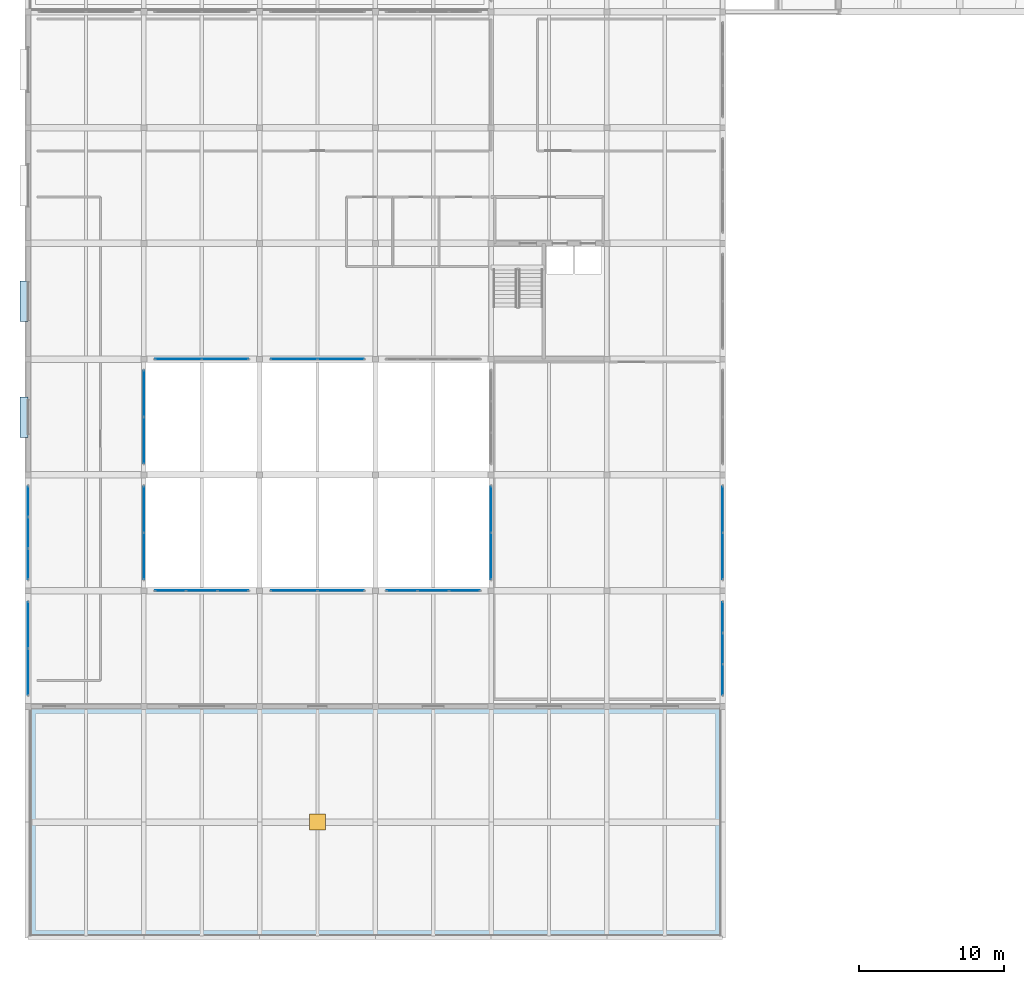
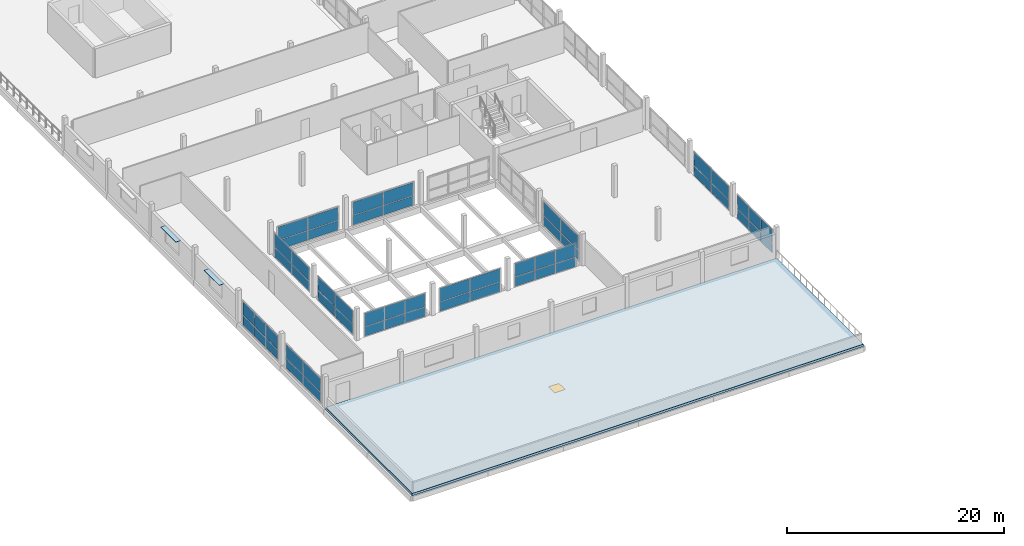
# One storey, part 33 of 51: 58 plates, 1 door, 1 slab, 1 opening, 12 elements without a shape of their own.
"""IFC4 building model written with IfcOpenShell, lengths in metres."""

from ifc_helpers import new_model, si_unit, direction, frame, origin, origin_2d, place, context, subcontext, project, spatial, polyline, rectangle, outline, extrude, material, layer, layer_set, type_object, element, fill, aggregate, save


model = new_model("IFC4")

# Units and contexts
model_context = context("Model", 3, precision=1e-05, world=origin(), true_north=direction((0.0, 1.0)))
body_context = subcontext(model_context, "Body", "Model", "MODEL_VIEW")
ifc_project = project(units=[si_unit("LENGTHUNIT", "METRE"), si_unit("AREAUNIT", "SQUARE_METRE"), si_unit("VOLUMEUNIT", "CUBIC_METRE"), si_unit("PLANEANGLEUNIT", "RADIAN"), si_unit("MASSUNIT", "GRAM", prefix="KILO")], contexts=[model_context])

# Site, building, storey
site_placement = place(None, origin())
site = spatial("IfcSite", under=ifc_project, at=site_placement, CompositionType="ELEMENT")
building_placement = place(site_placement, origin())
building = spatial("IfcBuilding", under=site, at=building_placement, Name="Vharandega Faculty of Natural Sciences", CompositionType="ELEMENT")
storey_placement = place(building_placement, frame((0.0, 0.0, 18.0)))
storey = spatial("IfcBuildingStorey", under=building, at=storey_placement, Name="L04", CompositionType="ELEMENT", Elevation=18.0)

# Curtain wall, plates
ifc_material_1 = material(Name="Aluminium and solar-control glass curtain wall", Category="aluminium")
curtain_wall_type_1 = type_object("IfcCurtainWallType", Name="Unitised Curtain Wall System CW-04", PredefinedType="NOTDEFINED", material=ifc_material_1)
curtain_wall_1_placement = place(storey_placement, origin())
curtain_wall_1 = element("IfcCurtainWall", 1, at=curtain_wall_1_placement, inside=storey, type_object=curtain_wall_type_1, Name="Curtain Wall CW-L04-171", PredefinedType="NOTDEFINED")
ifc_material_2 = material(Name="Double-glazed low-E solar glass", Category="glass")
ifc_layer_1 = layer(ifc_material_2, 0.028076171875, Name="Double-glazed low-E solar glass")
ifc_layer_set_1 = layer_set([ifc_layer_1], Name="Double-glazed low-E solar glass")
plate_type_1 = type_object("IfcPlateType", Name="CW Solar Vision Panel 28mm", PredefinedType="CURTAIN_PANEL", material=ifc_layer_set_1)
plate_1_placement = place(storey_placement, frame((0.0, 18.385009765625, 0.06005859375), z_axis=(0.0, 0.0, 1.0), x_axis=(0.0, 1.0, 0.0)))
plate_1 = element("IfcPlate", 2, at=plate_1_placement, type_object=plate_type_1, Name="CW-04 panel 1.1", PredefinedType="CURTAIN_PANEL", context=body_context, shape_type="SweptSolid", body=[
    extrude(rectangle(XDim=3.169921875, YDim=0.028076171875, at=origin_2d()), origin(), (0.0, 0.0, 1.0), 1.07763671875),
])
plate_2_placement = place(storey_placement, frame((0.0, 18.385009765625, 1.197509765625), z_axis=(0.0, 0.0, 1.0), x_axis=(0.0, 1.0, 0.0)))
plate_2 = element("IfcPlate", 3, at=plate_2_placement, type_object=plate_type_1, Name="CW-04 panel 1.2", PredefinedType="CURTAIN_PANEL", context=body_context, shape_type="SweptSolid", body=[
    extrude(rectangle(XDim=3.169921875, YDim=0.028076171875, at=origin_2d()), origin(), (0.0, 0.0, 1.0), 1.5224609375),
])
plate_3_placement = place(storey_placement, frame((0.0, 21.614990234375, 0.06005859375), z_axis=(0.0, 0.0, 1.0), x_axis=(0.0, 1.0, 0.0)))
plate_3 = element("IfcPlate", 4, at=plate_3_placement, type_object=plate_type_1, Name="CW-04 panel 2.1", PredefinedType="CURTAIN_PANEL", context=body_context, shape_type="SweptSolid", body=[
    extrude(rectangle(XDim=3.169921875, YDim=0.028076171875, at=origin_2d()), origin(), (0.0, 0.0, 1.0), 1.07763671875),
])
plate_4_placement = place(storey_placement, frame((0.0, 21.614990234375, 1.197509765625), z_axis=(0.0, 0.0, 1.0), x_axis=(0.0, 1.0, 0.0)))
plate_4 = element("IfcPlate", 5, at=plate_4_placement, type_object=plate_type_1, Name="CW-04 panel 2.2", PredefinedType="CURTAIN_PANEL", context=body_context, shape_type="SweptSolid", body=[
    extrude(rectangle(XDim=3.169921875, YDim=0.028076171875, at=origin_2d()), origin(), (0.0, 0.0, 1.0), 1.5224609375),
])
aggregate(curtain_wall_1, [plate_1, plate_2, plate_3, plate_4])

ifc_material_3 = material(Name="Aluminium and solar-control glass curtain wall", Category="aluminium")
curtain_wall_type_2 = type_object("IfcCurtainWallType", Name="Unitised Curtain Wall System CW-05", PredefinedType="NOTDEFINED", material=ifc_material_3)
curtain_wall_2_placement = place(storey_placement, origin())
curtain_wall_2 = element("IfcCurtainWall", 6, at=curtain_wall_2_placement, inside=storey, type_object=curtain_wall_type_2, Name="Curtain Wall CW-L04-172", PredefinedType="NOTDEFINED")
plate_5_placement = place(storey_placement, frame((0.0, 25.841552734375, 0.06005859375), z_axis=(0.0, 0.0, 1.0), x_axis=(0.0, 1.0, 0.0)))
plate_5 = element("IfcPlate", 7, at=plate_5_placement, type_object=plate_type_1, Name="CW-05 panel 1.1", PredefinedType="CURTAIN_PANEL", context=body_context, shape_type="SweptSolid", body=[
    extrude(rectangle(XDim=2.083251953125, YDim=0.028076171875, at=origin_2d()), origin(), (0.0, 0.0, 1.0), 1.07763671875),
])
plate_6_placement = place(storey_placement, frame((0.0, 25.841552734375, 1.197509765625), z_axis=(0.0, 0.0, 1.0), x_axis=(0.0, 1.0, 0.0)))
plate_6 = element("IfcPlate", 8, at=plate_6_placement, type_object=plate_type_1, Name="CW-05 panel 1.2", PredefinedType="CURTAIN_PANEL", context=body_context, shape_type="SweptSolid", body=[
    extrude(rectangle(XDim=2.083251953125, YDim=0.028076171875, at=origin_2d()), origin(), (0.0, 0.0, 1.0), 1.5224609375),
])
plate_7_placement = place(storey_placement, frame((0.0, 28.0, 0.06005859375), z_axis=(0.0, 0.0, 1.0), x_axis=(0.0, 1.0, 0.0)))
plate_7 = element("IfcPlate", 9, at=plate_7_placement, type_object=plate_type_1, Name="CW-05 panel 2.1", PredefinedType="CURTAIN_PANEL", context=body_context, shape_type="SweptSolid", body=[
    extrude(rectangle(XDim=2.11328125, YDim=0.028076171875, at=origin_2d()), origin(), (0.0, 0.0, 1.0), 1.07763671875),
])
plate_8_placement = place(storey_placement, frame((0.0, 28.0, 1.197509765625), z_axis=(0.0, 0.0, 1.0), x_axis=(0.0, 1.0, 0.0)))
plate_8 = element("IfcPlate", 10, at=plate_8_placement, type_object=plate_type_1, Name="CW-05 panel 2.2", PredefinedType="CURTAIN_PANEL", context=body_context, shape_type="SweptSolid", body=[
    extrude(rectangle(XDim=2.11328125, YDim=0.028076171875, at=origin_2d()), origin(), (0.0, 0.0, 1.0), 1.5224609375),
])
plate_9_placement = place(storey_placement, frame((0.0, 30.158447265625, 0.06005859375), z_axis=(0.0, 0.0, 1.0), x_axis=(0.0, 1.0, 0.0)))
plate_9 = element("IfcPlate", 11, at=plate_9_placement, type_object=plate_type_1, Name="CW-05 panel 3.1", PredefinedType="CURTAIN_PANEL", context=body_context, shape_type="SweptSolid", body=[
    extrude(rectangle(XDim=2.083251953125, YDim=0.028076171875, at=origin_2d()), origin(), (0.0, 0.0, 1.0), 1.07763671875),
])
plate_10_placement = place(storey_placement, frame((0.0, 30.158447265625, 1.197509765625), z_axis=(0.0, 0.0, 1.0), x_axis=(0.0, 1.0, 0.0)))
plate_10 = element("IfcPlate", 12, at=plate_10_placement, type_object=plate_type_1, Name="CW-05 panel 3.2", PredefinedType="CURTAIN_PANEL", context=body_context, shape_type="SweptSolid", body=[
    extrude(rectangle(XDim=2.083251953125, YDim=0.028076171875, at=origin_2d()), origin(), (0.0, 0.0, 1.0), 1.5224609375),
])
aggregate(curtain_wall_2, [plate_5, plate_6, plate_7, plate_8, plate_9, plate_10])

ifc_material_4 = material(Name="Aluminium and solar-control glass curtain wall", Category="aluminium")
curtain_wall_type_3 = type_object("IfcCurtainWallType", Name="Unitised Curtain Wall System CW-06", PredefinedType="NOTDEFINED", material=ifc_material_4)
curtain_wall_3_placement = place(storey_placement, origin())
curtain_wall_3 = element("IfcCurtainWall", 13, at=curtain_wall_3_placement, inside=storey, type_object=curtain_wall_type_3, Name="Curtain Wall CW-L04-173", PredefinedType="NOTDEFINED")
plate_11_placement = place(storey_placement, frame((48.0, 17.841552734375, 0.06005859375), z_axis=(0.0, 0.0, 1.0), x_axis=(0.0, 1.0, 0.0)))
plate_11 = element("IfcPlate", 14, at=plate_11_placement, type_object=plate_type_1, Name="CW-06 panel 1.1", PredefinedType="CURTAIN_PANEL", context=body_context, shape_type="SweptSolid", body=[
    extrude(rectangle(XDim=2.083251953125, YDim=0.028076171875, at=origin_2d()), origin(), (0.0, 0.0, 1.0), 1.07763671875),
])
plate_12_placement = place(storey_placement, frame((48.0, 17.841552734375, 1.197509765625), z_axis=(0.0, 0.0, 1.0), x_axis=(0.0, 1.0, 0.0)))
plate_12 = element("IfcPlate", 15, at=plate_12_placement, type_object=plate_type_1, Name="CW-06 panel 1.2", PredefinedType="CURTAIN_PANEL", context=body_context, shape_type="SweptSolid", body=[
    extrude(rectangle(XDim=2.083251953125, YDim=0.028076171875, at=origin_2d()), origin(), (0.0, 0.0, 1.0), 1.5224609375),
])
plate_13_placement = place(storey_placement, frame((48.0, 20.0, 0.06005859375), z_axis=(0.0, 0.0, 1.0), x_axis=(0.0, 1.0, 0.0)))
plate_13 = element("IfcPlate", 16, at=plate_13_placement, type_object=plate_type_1, Name="CW-06 panel 2.1", PredefinedType="CURTAIN_PANEL", context=body_context, shape_type="SweptSolid", body=[
    extrude(rectangle(XDim=2.11328125, YDim=0.028076171875, at=origin_2d()), origin(), (0.0, 0.0, 1.0), 1.07763671875),
])
plate_14_placement = place(storey_placement, frame((48.0, 20.0, 1.197509765625), z_axis=(0.0, 0.0, 1.0), x_axis=(0.0, 1.0, 0.0)))
plate_14 = element("IfcPlate", 17, at=plate_14_placement, type_object=plate_type_1, Name="CW-06 panel 2.2", PredefinedType="CURTAIN_PANEL", context=body_context, shape_type="SweptSolid", body=[
    extrude(rectangle(XDim=2.11328125, YDim=0.028076171875, at=origin_2d()), origin(), (0.0, 0.0, 1.0), 1.5224609375),
])
plate_15_placement = place(storey_placement, frame((48.0, 22.158447265625, 0.06005859375), z_axis=(0.0, 0.0, 1.0), x_axis=(0.0, 1.0, 0.0)))
plate_15 = element("IfcPlate", 18, at=plate_15_placement, type_object=plate_type_1, Name="CW-06 panel 3.1", PredefinedType="CURTAIN_PANEL", context=body_context, shape_type="SweptSolid", body=[
    extrude(rectangle(XDim=2.083251953125, YDim=0.028076171875, at=origin_2d()), origin(), (0.0, 0.0, 1.0), 1.07763671875),
])
plate_16_placement = place(storey_placement, frame((48.0, 22.158447265625, 1.197509765625), z_axis=(0.0, 0.0, 1.0), x_axis=(0.0, 1.0, 0.0)))
plate_16 = element("IfcPlate", 19, at=plate_16_placement, type_object=plate_type_1, Name="CW-06 panel 3.2", PredefinedType="CURTAIN_PANEL", context=body_context, shape_type="SweptSolid", body=[
    extrude(rectangle(XDim=2.083251953125, YDim=0.028076171875, at=origin_2d()), origin(), (0.0, 0.0, 1.0), 1.5224609375),
])
aggregate(curtain_wall_3, [plate_11, plate_12, plate_13, plate_14, plate_15, plate_16])

ifc_material_5 = material(Name="Aluminium and solar-control glass curtain wall", Category="aluminium")
curtain_wall_type_4 = type_object("IfcCurtainWallType", Name="Unitised Curtain Wall System CW-07", PredefinedType="NOTDEFINED", material=ifc_material_5)
curtain_wall_4_placement = place(storey_placement, origin())
curtain_wall_4 = element("IfcCurtainWall", 20, at=curtain_wall_4_placement, inside=storey, type_object=curtain_wall_type_4, Name="Curtain Wall CW-L04-174", PredefinedType="NOTDEFINED")
plate_17_placement = place(storey_placement, frame((48.0, 26.385009765625, 0.06005859375), z_axis=(0.0, 0.0, 1.0), x_axis=(0.0, 1.0, 0.0)))
plate_17 = element("IfcPlate", 21, at=plate_17_placement, type_object=plate_type_1, Name="CW-07 panel 1.1", PredefinedType="CURTAIN_PANEL", context=body_context, shape_type="SweptSolid", body=[
    extrude(rectangle(XDim=3.169921875, YDim=0.028076171875, at=origin_2d()), origin(), (0.0, 0.0, 1.0), 1.07763671875),
])
plate_18_placement = place(storey_placement, frame((48.0, 26.385009765625, 1.197509765625), z_axis=(0.0, 0.0, 1.0), x_axis=(0.0, 1.0, 0.0)))
plate_18 = element("IfcPlate", 22, at=plate_18_placement, type_object=plate_type_1, Name="CW-07 panel 1.2", PredefinedType="CURTAIN_PANEL", context=body_context, shape_type="SweptSolid", body=[
    extrude(rectangle(XDim=3.169921875, YDim=0.028076171875, at=origin_2d()), origin(), (0.0, 0.0, 1.0), 1.5224609375),
])
plate_19_placement = place(storey_placement, frame((48.0, 29.614990234375, 0.06005859375), z_axis=(0.0, 0.0, 1.0), x_axis=(0.0, 1.0, 0.0)))
plate_19 = element("IfcPlate", 23, at=plate_19_placement, type_object=plate_type_1, Name="CW-07 panel 2.1", PredefinedType="CURTAIN_PANEL", context=body_context, shape_type="SweptSolid", body=[
    extrude(rectangle(XDim=3.169921875, YDim=0.028076171875, at=origin_2d()), origin(), (0.0, 0.0, 1.0), 1.07763671875),
])
plate_20_placement = place(storey_placement, frame((48.0, 29.614990234375, 1.197509765625), z_axis=(0.0, 0.0, 1.0), x_axis=(0.0, 1.0, 0.0)))
plate_20 = element("IfcPlate", 24, at=plate_20_placement, type_object=plate_type_1, Name="CW-07 panel 2.2", PredefinedType="CURTAIN_PANEL", context=body_context, shape_type="SweptSolid", body=[
    extrude(rectangle(XDim=3.169921875, YDim=0.028076171875, at=origin_2d()), origin(), (0.0, 0.0, 1.0), 1.5224609375),
])
aggregate(curtain_wall_4, [plate_17, plate_18, plate_19, plate_20])

ifc_material_6 = material(Name="Aluminium and solar-control glass curtain wall", Category="aluminium")
curtain_wall_type_5 = type_object("IfcCurtainWallType", Name="Unitised Curtain Wall System CW-16", PredefinedType="NOTDEFINED", material=ifc_material_6)
curtain_wall_5_placement = place(storey_placement, origin())
curtain_wall_5 = element("IfcCurtainWall", 25, at=curtain_wall_5_placement, inside=storey, type_object=curtain_wall_type_5, Name="Curtain Wall CW-L04-183", PredefinedType="NOTDEFINED")
plate_21_placement = place(storey_placement, frame((9.841552734375, 24.0, 0.06005859375), z_axis=(0.0, 0.0, 1.0), x_axis=(1.0, 0.0, 0.0)))
plate_21 = element("IfcPlate", 26, at=plate_21_placement, type_object=plate_type_1, Name="CW-16 panel 1.1", PredefinedType="CURTAIN_PANEL", context=body_context, shape_type="SweptSolid", body=[
    extrude(rectangle(XDim=2.083251953125, YDim=0.028076171875, at=origin_2d()), origin(), (0.0, 0.0, 1.0), 1.0439453125),
])
plate_22_placement = place(storey_placement, frame((9.841552734375, 24.0, 1.1640625), z_axis=(0.0, 0.0, 1.0), x_axis=(1.0, 0.0, 0.0)))
plate_22 = element("IfcPlate", 27, at=plate_22_placement, type_object=plate_type_1, Name="CW-16 panel 1.2", PredefinedType="CURTAIN_PANEL", context=body_context, shape_type="SweptSolid", body=[
    extrude(rectangle(XDim=2.083251953125, YDim=0.028076171875, at=origin_2d()), origin(), (0.0, 0.0, 1.0), 1.47607421875),
])
plate_23_placement = place(storey_placement, frame((12.0, 24.0, 0.06005859375), z_axis=(0.0, 0.0, 1.0), x_axis=(1.0, 0.0, 0.0)))
plate_23 = element("IfcPlate", 28, at=plate_23_placement, type_object=plate_type_1, Name="CW-16 panel 2.1", PredefinedType="CURTAIN_PANEL", context=body_context, shape_type="SweptSolid", body=[
    extrude(rectangle(XDim=2.11328125, YDim=0.028076171875, at=origin_2d()), origin(), (0.0, 0.0, 1.0), 1.0439453125),
])
plate_24_placement = place(storey_placement, frame((12.0, 24.0, 1.1640625), z_axis=(0.0, 0.0, 1.0), x_axis=(1.0, 0.0, 0.0)))
plate_24 = element("IfcPlate", 29, at=plate_24_placement, type_object=plate_type_1, Name="CW-16 panel 2.2", PredefinedType="CURTAIN_PANEL", context=body_context, shape_type="SweptSolid", body=[
    extrude(rectangle(XDim=2.11328125, YDim=0.028076171875, at=origin_2d()), origin(), (0.0, 0.0, 1.0), 1.47607421875),
])
plate_25_placement = place(storey_placement, frame((14.158447265625, 24.0, 0.06005859375), z_axis=(0.0, 0.0, 1.0), x_axis=(1.0, 0.0, 0.0)))
plate_25 = element("IfcPlate", 30, at=plate_25_placement, type_object=plate_type_1, Name="CW-16 panel 3.1", PredefinedType="CURTAIN_PANEL", context=body_context, shape_type="SweptSolid", body=[
    extrude(rectangle(XDim=2.083251953125, YDim=0.028076171875, at=origin_2d()), origin(), (0.0, 0.0, 1.0), 1.0439453125),
])
plate_26_placement = place(storey_placement, frame((14.158447265625, 24.0, 1.1640625), z_axis=(0.0, 0.0, 1.0), x_axis=(1.0, 0.0, 0.0)))
plate_26 = element("IfcPlate", 31, at=plate_26_placement, type_object=plate_type_1, Name="CW-16 panel 3.2", PredefinedType="CURTAIN_PANEL", context=body_context, shape_type="SweptSolid", body=[
    extrude(rectangle(XDim=2.083251953125, YDim=0.028076171875, at=origin_2d()), origin(), (0.0, 0.0, 1.0), 1.47607421875),
])
aggregate(curtain_wall_5, [plate_21, plate_22, plate_23, plate_24, plate_25, plate_26])

ifc_material_7 = material(Name="Aluminium and solar-control glass curtain wall", Category="aluminium")
curtain_wall_type_6 = type_object("IfcCurtainWallType", Name="Unitised Curtain Wall System CW-17", PredefinedType="NOTDEFINED", material=ifc_material_7)
curtain_wall_6_placement = place(storey_placement, origin())
curtain_wall_6 = element("IfcCurtainWall", 32, at=curtain_wall_6_placement, inside=storey, type_object=curtain_wall_type_6, Name="Curtain Wall CW-L04-184", PredefinedType="NOTDEFINED")
plate_27_placement = place(storey_placement, frame((10.385009765625, 40.0, 0.06005859375), z_axis=(0.0, 0.0, 1.0), x_axis=(1.0, 0.0, 0.0)))
plate_27 = element("IfcPlate", 33, at=plate_27_placement, type_object=plate_type_1, Name="CW-17 panel 1.1", PredefinedType="CURTAIN_PANEL", context=body_context, shape_type="SweptSolid", body=[
    extrude(rectangle(XDim=3.169921875, YDim=0.028076171875, at=origin_2d()), origin(), (0.0, 0.0, 1.0), 1.0439453125),
])
plate_28_placement = place(storey_placement, frame((10.385009765625, 40.0, 1.1640625), z_axis=(0.0, 0.0, 1.0), x_axis=(1.0, 0.0, 0.0)))
plate_28 = element("IfcPlate", 34, at=plate_28_placement, type_object=plate_type_1, Name="CW-17 panel 1.2", PredefinedType="CURTAIN_PANEL", context=body_context, shape_type="SweptSolid", body=[
    extrude(rectangle(XDim=3.169921875, YDim=0.028076171875, at=origin_2d()), origin(), (0.0, 0.0, 1.0), 1.47607421875),
])
plate_29_placement = place(storey_placement, frame((13.614990234375, 40.0, 0.06005859375), z_axis=(0.0, 0.0, 1.0), x_axis=(1.0, 0.0, 0.0)))
plate_29 = element("IfcPlate", 35, at=plate_29_placement, type_object=plate_type_1, Name="CW-17 panel 2.1", PredefinedType="CURTAIN_PANEL", context=body_context, shape_type="SweptSolid", body=[
    extrude(rectangle(XDim=3.169921875, YDim=0.028076171875, at=origin_2d()), origin(), (0.0, 0.0, 1.0), 1.0439453125),
])
plate_30_placement = place(storey_placement, frame((13.614990234375, 40.0, 1.1640625), z_axis=(0.0, 0.0, 1.0), x_axis=(1.0, 0.0, 0.0)))
plate_30 = element("IfcPlate", 36, at=plate_30_placement, type_object=plate_type_1, Name="CW-17 panel 2.2", PredefinedType="CURTAIN_PANEL", context=body_context, shape_type="SweptSolid", body=[
    extrude(rectangle(XDim=3.169921875, YDim=0.028076171875, at=origin_2d()), origin(), (0.0, 0.0, 1.0), 1.47607421875),
])
aggregate(curtain_wall_6, [plate_27, plate_28, plate_29, plate_30])

ifc_material_8 = material(Name="Aluminium and solar-control glass curtain wall", Category="aluminium")
curtain_wall_type_7 = type_object("IfcCurtainWallType", Name="Unitised Curtain Wall System CW-18", PredefinedType="NOTDEFINED", material=ifc_material_8)
curtain_wall_7_placement = place(storey_placement, origin())
curtain_wall_7 = element("IfcCurtainWall", 37, at=curtain_wall_7_placement, inside=storey, type_object=curtain_wall_type_7, Name="Curtain Wall CW-L04-185", PredefinedType="NOTDEFINED")
plate_31_placement = place(storey_placement, frame((18.385009765625, 24.0, 0.06005859375), z_axis=(0.0, 0.0, 1.0), x_axis=(1.0, 0.0, 0.0)))
plate_31 = element("IfcPlate", 38, at=plate_31_placement, type_object=plate_type_1, Name="CW-18 panel 1.1", PredefinedType="CURTAIN_PANEL", context=body_context, shape_type="SweptSolid", body=[
    extrude(rectangle(XDim=3.169921875, YDim=0.028076171875, at=origin_2d()), origin(), (0.0, 0.0, 1.0), 1.0439453125),
])
plate_32_placement = place(storey_placement, frame((18.385009765625, 24.0, 1.1640625), z_axis=(0.0, 0.0, 1.0), x_axis=(1.0, 0.0, 0.0)))
plate_32 = element("IfcPlate", 39, at=plate_32_placement, type_object=plate_type_1, Name="CW-18 panel 1.2", PredefinedType="CURTAIN_PANEL", context=body_context, shape_type="SweptSolid", body=[
    extrude(rectangle(XDim=3.169921875, YDim=0.028076171875, at=origin_2d()), origin(), (0.0, 0.0, 1.0), 1.47607421875),
])
plate_33_placement = place(storey_placement, frame((21.614990234375, 24.0, 0.06005859375), z_axis=(0.0, 0.0, 1.0), x_axis=(1.0, 0.0, 0.0)))
plate_33 = element("IfcPlate", 40, at=plate_33_placement, type_object=plate_type_1, Name="CW-18 panel 2.1", PredefinedType="CURTAIN_PANEL", context=body_context, shape_type="SweptSolid", body=[
    extrude(rectangle(XDim=3.169921875, YDim=0.028076171875, at=origin_2d()), origin(), (0.0, 0.0, 1.0), 1.0439453125),
])
plate_34_placement = place(storey_placement, frame((21.614990234375, 24.0, 1.1640625), z_axis=(0.0, 0.0, 1.0), x_axis=(1.0, 0.0, 0.0)))
plate_34 = element("IfcPlate", 41, at=plate_34_placement, type_object=plate_type_1, Name="CW-18 panel 2.2", PredefinedType="CURTAIN_PANEL", context=body_context, shape_type="SweptSolid", body=[
    extrude(rectangle(XDim=3.169921875, YDim=0.028076171875, at=origin_2d()), origin(), (0.0, 0.0, 1.0), 1.47607421875),
])
aggregate(curtain_wall_7, [plate_31, plate_32, plate_33, plate_34])

ifc_material_9 = material(Name="Aluminium and solar-control glass curtain wall", Category="aluminium")
curtain_wall_type_8 = type_object("IfcCurtainWallType", Name="Unitised Curtain Wall System CW-19", PredefinedType="NOTDEFINED", material=ifc_material_9)
curtain_wall_8_placement = place(storey_placement, origin())
curtain_wall_8 = element("IfcCurtainWall", 42, at=curtain_wall_8_placement, inside=storey, type_object=curtain_wall_type_8, Name="Curtain Wall CW-L04-186", PredefinedType="NOTDEFINED")
plate_35_placement = place(storey_placement, frame((18.385009765625, 40.0, 0.06005859375), z_axis=(0.0, 0.0, 1.0), x_axis=(1.0, 0.0, 0.0)))
plate_35 = element("IfcPlate", 43, at=plate_35_placement, type_object=plate_type_1, Name="CW-19 panel 1.1", PredefinedType="CURTAIN_PANEL", context=body_context, shape_type="SweptSolid", body=[
    extrude(rectangle(XDim=3.169921875, YDim=0.028076171875, at=origin_2d()), origin(), (0.0, 0.0, 1.0), 1.0439453125),
])
plate_36_placement = place(storey_placement, frame((18.385009765625, 40.0, 1.1640625), z_axis=(0.0, 0.0, 1.0), x_axis=(1.0, 0.0, 0.0)))
plate_36 = element("IfcPlate", 44, at=plate_36_placement, type_object=plate_type_1, Name="CW-19 panel 1.2", PredefinedType="CURTAIN_PANEL", context=body_context, shape_type="SweptSolid", body=[
    extrude(rectangle(XDim=3.169921875, YDim=0.028076171875, at=origin_2d()), origin(), (0.0, 0.0, 1.0), 1.47607421875),
])
plate_37_placement = place(storey_placement, frame((21.614990234375, 40.0, 0.06005859375), z_axis=(0.0, 0.0, 1.0), x_axis=(1.0, 0.0, 0.0)))
plate_37 = element("IfcPlate", 45, at=plate_37_placement, type_object=plate_type_1, Name="CW-19 panel 2.1", PredefinedType="CURTAIN_PANEL", context=body_context, shape_type="SweptSolid", body=[
    extrude(rectangle(XDim=3.169921875, YDim=0.028076171875, at=origin_2d()), origin(), (0.0, 0.0, 1.0), 1.0439453125),
])
plate_38_placement = place(storey_placement, frame((21.614990234375, 40.0, 1.1640625), z_axis=(0.0, 0.0, 1.0), x_axis=(1.0, 0.0, 0.0)))
plate_38 = element("IfcPlate", 46, at=plate_38_placement, type_object=plate_type_1, Name="CW-19 panel 2.2", PredefinedType="CURTAIN_PANEL", context=body_context, shape_type="SweptSolid", body=[
    extrude(rectangle(XDim=3.169921875, YDim=0.028076171875, at=origin_2d()), origin(), (0.0, 0.0, 1.0), 1.47607421875),
])
aggregate(curtain_wall_8, [plate_35, plate_36, plate_37, plate_38])

ifc_material_10 = material(Name="Aluminium and solar-control glass curtain wall", Category="aluminium")
curtain_wall_type_9 = type_object("IfcCurtainWallType", Name="Unitised Curtain Wall System CW-20", PredefinedType="NOTDEFINED", material=ifc_material_10)
curtain_wall_9_placement = place(storey_placement, origin())
curtain_wall_9 = element("IfcCurtainWall", 47, at=curtain_wall_9_placement, inside=storey, type_object=curtain_wall_type_9, Name="Curtain Wall CW-L04-187", PredefinedType="NOTDEFINED")
plate_39_placement = place(storey_placement, frame((25.841552734375, 24.0, 0.06005859375), z_axis=(0.0, 0.0, 1.0), x_axis=(1.0, 0.0, 0.0)))
plate_39 = element("IfcPlate", 48, at=plate_39_placement, type_object=plate_type_1, Name="CW-20 panel 1.1", PredefinedType="CURTAIN_PANEL", context=body_context, shape_type="SweptSolid", body=[
    extrude(rectangle(XDim=2.083251953125, YDim=0.028076171875, at=origin_2d()), origin(), (0.0, 0.0, 1.0), 1.0439453125),
])
plate_40_placement = place(storey_placement, frame((25.841552734375, 24.0, 1.1640625), z_axis=(0.0, 0.0, 1.0), x_axis=(1.0, 0.0, 0.0)))
plate_40 = element("IfcPlate", 49, at=plate_40_placement, type_object=plate_type_1, Name="CW-20 panel 1.2", PredefinedType="CURTAIN_PANEL", context=body_context, shape_type="SweptSolid", body=[
    extrude(rectangle(XDim=2.083251953125, YDim=0.028076171875, at=origin_2d()), origin(), (0.0, 0.0, 1.0), 1.47607421875),
])
plate_41_placement = place(storey_placement, frame((28.0, 24.0, 0.06005859375), z_axis=(0.0, 0.0, 1.0), x_axis=(1.0, 0.0, 0.0)))
plate_41 = element("IfcPlate", 50, at=plate_41_placement, type_object=plate_type_1, Name="CW-20 panel 2.1", PredefinedType="CURTAIN_PANEL", context=body_context, shape_type="SweptSolid", body=[
    extrude(rectangle(XDim=2.11328125, YDim=0.028076171875, at=origin_2d()), origin(), (0.0, 0.0, 1.0), 1.0439453125),
])
plate_42_placement = place(storey_placement, frame((28.0, 24.0, 1.1640625), z_axis=(0.0, 0.0, 1.0), x_axis=(1.0, 0.0, 0.0)))
plate_42 = element("IfcPlate", 51, at=plate_42_placement, type_object=plate_type_1, Name="CW-20 panel 2.2", PredefinedType="CURTAIN_PANEL", context=body_context, shape_type="SweptSolid", body=[
    extrude(rectangle(XDim=2.11328125, YDim=0.028076171875, at=origin_2d()), origin(), (0.0, 0.0, 1.0), 1.47607421875),
])
plate_43_placement = place(storey_placement, frame((30.158447265625, 24.0, 0.06005859375), z_axis=(0.0, 0.0, 1.0), x_axis=(1.0, 0.0, 0.0)))
plate_43 = element("IfcPlate", 52, at=plate_43_placement, type_object=plate_type_1, Name="CW-20 panel 3.1", PredefinedType="CURTAIN_PANEL", context=body_context, shape_type="SweptSolid", body=[
    extrude(rectangle(XDim=2.083251953125, YDim=0.028076171875, at=origin_2d()), origin(), (0.0, 0.0, 1.0), 1.0439453125),
])
plate_44_placement = place(storey_placement, frame((30.158447265625, 24.0, 1.1640625), z_axis=(0.0, 0.0, 1.0), x_axis=(1.0, 0.0, 0.0)))
plate_44 = element("IfcPlate", 53, at=plate_44_placement, type_object=plate_type_1, Name="CW-20 panel 3.2", PredefinedType="CURTAIN_PANEL", context=body_context, shape_type="SweptSolid", body=[
    extrude(rectangle(XDim=2.083251953125, YDim=0.028076171875, at=origin_2d()), origin(), (0.0, 0.0, 1.0), 1.47607421875),
])
aggregate(curtain_wall_9, [plate_39, plate_40, plate_41, plate_42, plate_43, plate_44])

ifc_material_11 = material(Name="Aluminium and solar-control glass curtain wall", Category="aluminium")
curtain_wall_type_10 = type_object("IfcCurtainWallType", Name="Unitised Curtain Wall System CW-22", PredefinedType="NOTDEFINED", material=ifc_material_11)
curtain_wall_10_placement = place(storey_placement, origin())
curtain_wall_10 = element("IfcCurtainWall", 54, at=curtain_wall_10_placement, inside=storey, type_object=curtain_wall_type_10, Name="Curtain Wall CW-L04-189", PredefinedType="NOTDEFINED")
plate_45_placement = place(storey_placement, frame((8.0, 26.385009765625, 0.06005859375), z_axis=(0.0, 0.0, 1.0), x_axis=(0.0, 1.0, 0.0)))
plate_45 = element("IfcPlate", 55, at=plate_45_placement, type_object=plate_type_1, Name="CW-22 panel 1.1", PredefinedType="CURTAIN_PANEL", context=body_context, shape_type="SweptSolid", body=[
    extrude(rectangle(XDim=3.169921875, YDim=0.028076171875, at=origin_2d()), origin(), (0.0, 0.0, 1.0), 1.07763671875),
])
plate_46_placement = place(storey_placement, frame((8.0, 26.385009765625, 1.197509765625), z_axis=(0.0, 0.0, 1.0), x_axis=(0.0, 1.0, 0.0)))
plate_46 = element("IfcPlate", 56, at=plate_46_placement, type_object=plate_type_1, Name="CW-22 panel 1.2", PredefinedType="CURTAIN_PANEL", context=body_context, shape_type="SweptSolid", body=[
    extrude(rectangle(XDim=3.169921875, YDim=0.028076171875, at=origin_2d()), origin(), (0.0, 0.0, 1.0), 1.5224609375),
])
plate_47_placement = place(storey_placement, frame((8.0, 29.614990234375, 0.06005859375), z_axis=(0.0, 0.0, 1.0), x_axis=(0.0, 1.0, 0.0)))
plate_47 = element("IfcPlate", 57, at=plate_47_placement, type_object=plate_type_1, Name="CW-22 panel 2.1", PredefinedType="CURTAIN_PANEL", context=body_context, shape_type="SweptSolid", body=[
    extrude(rectangle(XDim=3.169921875, YDim=0.028076171875, at=origin_2d()), origin(), (0.0, 0.0, 1.0), 1.07763671875),
])
plate_48_placement = place(storey_placement, frame((8.0, 29.614990234375, 1.197509765625), z_axis=(0.0, 0.0, 1.0), x_axis=(0.0, 1.0, 0.0)))
plate_48 = element("IfcPlate", 58, at=plate_48_placement, type_object=plate_type_1, Name="CW-22 panel 2.2", PredefinedType="CURTAIN_PANEL", context=body_context, shape_type="SweptSolid", body=[
    extrude(rectangle(XDim=3.169921875, YDim=0.028076171875, at=origin_2d()), origin(), (0.0, 0.0, 1.0), 1.5224609375),
])
aggregate(curtain_wall_10, [plate_45, plate_46, plate_47, plate_48])

ifc_material_12 = material(Name="Aluminium and solar-control glass curtain wall", Category="aluminium")
curtain_wall_type_11 = type_object("IfcCurtainWallType", Name="Unitised Curtain Wall System CW-23", PredefinedType="NOTDEFINED", material=ifc_material_12)
curtain_wall_11_placement = place(storey_placement, origin())
curtain_wall_11 = element("IfcCurtainWall", 59, at=curtain_wall_11_placement, inside=storey, type_object=curtain_wall_type_11, Name="Curtain Wall CW-L04-190", PredefinedType="NOTDEFINED")
plate_49_placement = place(storey_placement, frame((32.0, 26.385009765625, 0.06005859375), z_axis=(0.0, 0.0, 1.0), x_axis=(0.0, 1.0, 0.0)))
plate_49 = element("IfcPlate", 60, at=plate_49_placement, type_object=plate_type_1, Name="CW-23 panel 1.1", PredefinedType="CURTAIN_PANEL", context=body_context, shape_type="SweptSolid", body=[
    extrude(rectangle(XDim=3.169921875, YDim=0.028076171875, at=origin_2d()), origin(), (0.0, 0.0, 1.0), 1.07763671875),
])
plate_50_placement = place(storey_placement, frame((32.0, 26.385009765625, 1.197509765625), z_axis=(0.0, 0.0, 1.0), x_axis=(0.0, 1.0, 0.0)))
plate_50 = element("IfcPlate", 61, at=plate_50_placement, type_object=plate_type_1, Name="CW-23 panel 1.2", PredefinedType="CURTAIN_PANEL", context=body_context, shape_type="SweptSolid", body=[
    extrude(rectangle(XDim=3.169921875, YDim=0.028076171875, at=origin_2d()), origin(), (0.0, 0.0, 1.0), 1.5224609375),
])
plate_51_placement = place(storey_placement, frame((32.0, 29.614990234375, 0.06005859375), z_axis=(0.0, 0.0, 1.0), x_axis=(0.0, 1.0, 0.0)))
plate_51 = element("IfcPlate", 62, at=plate_51_placement, type_object=plate_type_1, Name="CW-23 panel 2.1", PredefinedType="CURTAIN_PANEL", context=body_context, shape_type="SweptSolid", body=[
    extrude(rectangle(XDim=3.169921875, YDim=0.028076171875, at=origin_2d()), origin(), (0.0, 0.0, 1.0), 1.07763671875),
])
plate_52_placement = place(storey_placement, frame((32.0, 29.614990234375, 1.197509765625), z_axis=(0.0, 0.0, 1.0), x_axis=(0.0, 1.0, 0.0)))
plate_52 = element("IfcPlate", 63, at=plate_52_placement, type_object=plate_type_1, Name="CW-23 panel 2.2", PredefinedType="CURTAIN_PANEL", context=body_context, shape_type="SweptSolid", body=[
    extrude(rectangle(XDim=3.169921875, YDim=0.028076171875, at=origin_2d()), origin(), (0.0, 0.0, 1.0), 1.5224609375),
])
aggregate(curtain_wall_11, [plate_49, plate_50, plate_51, plate_52])

ifc_material_13 = material(Name="Aluminium and solar-control glass curtain wall", Category="aluminium")
curtain_wall_type_12 = type_object("IfcCurtainWallType", Name="Unitised Curtain Wall System CW-24", PredefinedType="NOTDEFINED", material=ifc_material_13)
curtain_wall_12_placement = place(storey_placement, origin())
curtain_wall_12 = element("IfcCurtainWall", 64, at=curtain_wall_12_placement, inside=storey, type_object=curtain_wall_type_12, Name="Curtain Wall CW-L04-191", PredefinedType="NOTDEFINED")
plate_53_placement = place(storey_placement, frame((8.0, 34.385009765625, 0.06005859375), z_axis=(0.0, 0.0, 1.0), x_axis=(0.0, 1.0, 0.0)))
plate_53 = element("IfcPlate", 65, at=plate_53_placement, type_object=plate_type_1, Name="CW-24 panel 1.1", PredefinedType="CURTAIN_PANEL", context=body_context, shape_type="SweptSolid", body=[
    extrude(rectangle(XDim=3.169921875, YDim=0.028076171875, at=origin_2d()), origin(), (0.0, 0.0, 1.0), 1.07763671875),
])
plate_54_placement = place(storey_placement, frame((8.0, 34.385009765625, 1.197509765625), z_axis=(0.0, 0.0, 1.0), x_axis=(0.0, 1.0, 0.0)))
plate_54 = element("IfcPlate", 66, at=plate_54_placement, type_object=plate_type_1, Name="CW-24 panel 1.2", PredefinedType="CURTAIN_PANEL", context=body_context, shape_type="SweptSolid", body=[
    extrude(rectangle(XDim=3.169921875, YDim=0.028076171875, at=origin_2d()), origin(), (0.0, 0.0, 1.0), 1.5224609375),
])
plate_55_placement = place(storey_placement, frame((8.0, 37.614990234375, 0.06005859375), z_axis=(0.0, 0.0, 1.0), x_axis=(0.0, 1.0, 0.0)))
plate_55 = element("IfcPlate", 67, at=plate_55_placement, type_object=plate_type_1, Name="CW-24 panel 2.1", PredefinedType="CURTAIN_PANEL", context=body_context, shape_type="SweptSolid", body=[
    extrude(rectangle(XDim=3.169921875, YDim=0.028076171875, at=origin_2d()), origin(), (0.0, 0.0, 1.0), 1.07763671875),
])
plate_56_placement = place(storey_placement, frame((8.0, 37.614990234375, 1.197509765625), z_axis=(0.0, 0.0, 1.0), x_axis=(0.0, 1.0, 0.0)))
plate_56 = element("IfcPlate", 68, at=plate_56_placement, type_object=plate_type_1, Name="CW-24 panel 2.2", PredefinedType="CURTAIN_PANEL", context=body_context, shape_type="SweptSolid", body=[
    extrude(rectangle(XDim=3.169921875, YDim=0.028076171875, at=origin_2d()), origin(), (0.0, 0.0, 1.0), 1.5224609375),
])
aggregate(curtain_wall_12, [plate_53, plate_54, plate_55, plate_56])

# Plates
ifc_material_14 = material(Name="Aluminium solar hood sheet", Category="aluminium")
ifc_layer_2 = layer(ifc_material_14, 0.0400390625, Name="Aluminium solar hood sheet")
ifc_layer_set_2 = layer_set([ifc_layer_2], Name="Aluminium solar hood sheet")
plate_type_2 = type_object("IfcPlateType", Name="North Solar Hood Sheet Plate 40", PredefinedType="SHEET", material=ifc_layer_set_2)
for number, where, z_axis, x_axis, name in (
    (69, (-0.280029296875, 36.0, 2.60009765625), (0.0, 0.0, 1.0), (1.0, 0.0, 0.0), "Solar Shading Hood L04 E"),
    (70, (-0.280029296875, 44.0, 2.60009765625), (0.0, 0.0, 1.0), (1.0, 0.0, 0.0), "Solar Shading Hood L04 F"),
):
    element("IfcPlate", number, at=place(storey_placement, frame(where, z_axis=z_axis, x_axis=x_axis)), inside=storey, type_object=plate_type_2, Name=name, PredefinedType="SHEET", context=body_context, shape_type="SweptSolid", body=[
        extrude(rectangle(XDim=0.56005859375, YDim=2.800048828125, at=origin_2d()), origin(), (0.0, 0.0, 1.0), 0.0400390625),
    ])

# Slab, opening, door
ifc_material_15 = material(Name="Cross-laminated timber CLT7-240", Category="wood")
ifc_layer_3 = layer(ifc_material_15, 0.260009765625, Name="Cross-laminated timber CLT7-240")
ifc_layer_set_3 = layer_set([ifc_layer_3], Name="Cross-laminated timber CLT7-240")
slab_type = type_object("IfcSlabType", Name="ROOF-GARDEN-260", PredefinedType="ROOF", material=ifc_layer_set_3)
slab_placement = place(storey_placement, frame((0.0, 0.0, -0.260009765625)))
slab = element("IfcSlab", 71, at=slab_placement, inside=storey, type_object=slab_type, Name="L04 V5 Planted Terrace Slab", PredefinedType="ROOF", context=body_context, shape_type="SweptSolid", body=[
    extrude(outline(polyline([(0.0, 0.0), (48.0, 0.0), (48.0, 16.0), (0.0, 16.0), (0.0, 0.0)]), holes=[polyline([(19.449951171875, 7.449951171875), (20.550048828125, 7.449951171875), (20.550048828125, 8.550048828125), (19.449951171875, 8.550048828125), (19.449951171875, 7.449951171875)])]), origin(), (0.0, 0.0, 1.0), 0.260009765625),
])
opening_placement = place(slab_placement, frame((20.0, 8.0, 0.0)))
opening = element("IfcOpeningElement", 72, at=opening_placement, cuts=slab, Name="Opening TD-R03", PredefinedType="OPENING", context=body_context, shape_type="SweptSolid", body=[
    extrude(rectangle(XDim=1.10009765625, YDim=1.10009765625, at=origin_2d()), origin(), (0.0, 0.0, 1.0), 0.260009765625),
])
ifc_material_16 = material(Name="Thermally broken glazed aluminium door", Category="aluminium")
door_type = type_object("IfcDoorType", Name="ROOF-ACCESS-TRAPDOOR-1100x1100", OperationType="SINGLE_SWING_LEFT", PredefinedType="TRAPDOOR", material=ifc_material_16)
door_placement = place(opening_placement, frame((0.0, 0.0, 0.2099609375)))
door = element("IfcDoor", 73, at=door_placement, inside=storey, type_object=door_type, Name="Roof Access Trapdoor TD-R03", OperationType="SINGLE_SWING_LEFT", OverallHeight=1.10009765625, OverallWidth=1.10009765625, PredefinedType="TRAPDOOR", context=body_context, shape_type="SweptSolid", body=[
    extrude(rectangle(XDim=1.10009765625, YDim=1.10009765625, at=origin_2d()), origin(), (0.0, 0.0, 1.0), 0.050048828125),
])
fill(opening, door)

save(model, "model.ifc")
